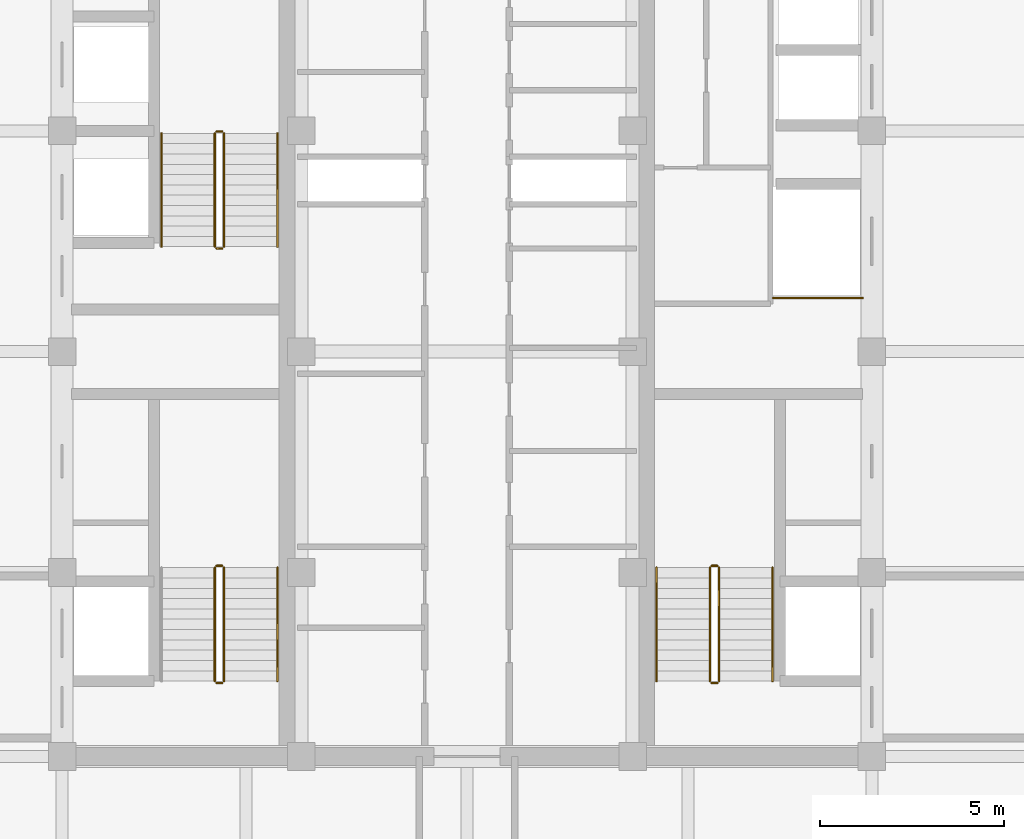
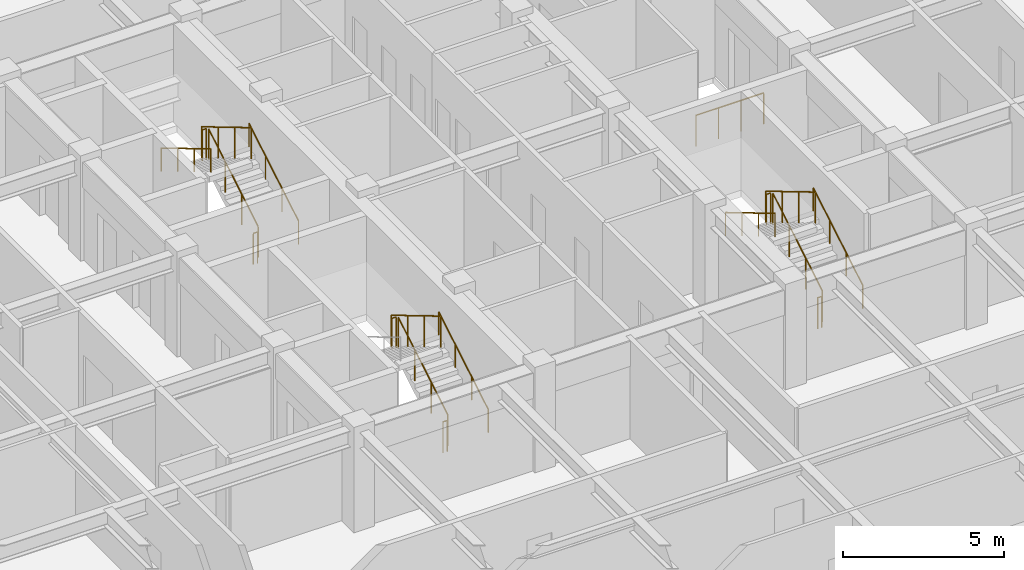
# One storey, part 29 of 30: 18 railings.
"""IFC4 building model written with IfcOpenShell, lengths in metres."""

from ifc_helpers import new_model, si_unit, direction, frame, origin, origin_2d, place, context, subcontext, project, spatial, circle, extrude, source, transform, mapped, material, type_object, element, save


model = new_model("IFC4")

# Units and contexts
model_context = context("Model", 3, precision=1e-05, world=origin(), true_north=direction((0.0, 1.0)))
body_context = subcontext(model_context, "Body", "Model", "MODEL_VIEW")
ifc_project = project(units=[si_unit("LENGTHUNIT", "METRE"), si_unit("AREAUNIT", "SQUARE_METRE"), si_unit("VOLUMEUNIT", "CUBIC_METRE"), si_unit("PLANEANGLEUNIT", "RADIAN"), si_unit("MASSUNIT", "GRAM", prefix="KILO")], contexts=[model_context])

# Site, building, storey
site_placement = place(None, origin())
site = spatial("IfcSite", under=ifc_project, at=site_placement, CompositionType="ELEMENT")
building_placement = place(site_placement, origin())
building = spatial("IfcBuilding", under=site, at=building_placement, Name="Khorayat Bourse Tower", CompositionType="ELEMENT")
storey_placement = place(building_placement, frame((0.0, 0.0, 326.300048828125)))
storey = spatial("IfcBuildingStorey", under=building, at=storey_placement, Name="L77", CompositionType="ELEMENT", Elevation=326.300048828125)

# Railings
ifc_material_1 = material(Name="Powder-coated steel balustrade", Category="steel")
railing_type_1 = type_object("IfcRailingType", Name="RLG-GUARD-1200", PredefinedType="GUARDRAIL", material=ifc_material_1)
shared_shape_1 = source(origin(), body_context, "Body", "SweptSolid", [
    extrude(circle(Radius=0.02392578125, at=origin_2d()), frame((0.0, 0.0, 1.17578125), z_axis=(-1.0, 0.0, 0.0), x_axis=(0.0, -1.0, 0.0)), (0.0, 0.0, 1.0), 0.150146484375),
    extrude(circle(Radius=0.02099609375, at=origin_2d()), origin(), (0.0, 0.0, 1.0), 1.15185546875),
    extrude(circle(Radius=0.02099609375, at=origin_2d()), frame((-0.150146484375, 0.0, 0.0)), (0.0, 0.0, 1.0), 1.15185546875),
])
for number, where, name in (
    (1, (-6.64990234375, -5.820068359375, 2.0), "L77 ST-1 stair guard 2"),
    (2, (-6.64990234375, -9.0, 0.0), "L77 ST-1 stair guard 4"),
    (3, (-6.64990234375, 5.97998046875, 2.0), "L77 ST-2 stair guard 2"),
    (4, (-6.64990234375, 2.800048828125, 0.0), "L77 ST-2 stair guard 4"),
    (5, (6.800048828125, -5.820068359375, 2.0), "L77 ST-3 stair guard 2"),
    (6, (6.800048828125, -9.0, 0.0), "L77 ST-3 stair guard 4"),
):
    element("IfcRailing", number, at=place(storey_placement, frame(where)), inside=storey, type_object=railing_type_1, Name=name, PredefinedType="GUARDRAIL", context=body_context, shape_type="MappedRepresentation", body=[
        mapped(shared_shape_1, transform((0.0, 0.0, 0.0), scale=1.0)),
    ])
shared_shape_2 = source(origin(), body_context, "Body", "SweptSolid", [
    extrude(circle(Radius=0.02392578125, at=origin_2d()), frame((0.0, 0.0, 1.17578125), z_axis=(0.0, 0.859260807169, 0.511537745687), x_axis=(-1.0, 0.0, 0.0)), (0.0, 0.0, 1.0), 3.584228515625),
    extrude(circle(Radius=0.02099609375, at=origin_2d()), origin(), (0.0, 0.0, 1.0), 1.15185546875),
    extrude(circle(Radius=0.02099609375, at=origin_2d()), frame((0.0, 1.026611328125, 0.611083984375)), (0.0, 0.0, 1.0), 1.15185546875),
    extrude(circle(Radius=0.02099609375, at=origin_2d()), frame((0.0, 2.05322265625, 1.222412109375)), (0.0, 0.0, 1.0), 1.15185546875),
    extrude(circle(Radius=0.02099609375, at=origin_2d()), frame((0.0, 3.079833984375, 1.83349609375)), (0.0, 0.0, 1.0), 1.15185546875),
])
for number, where, name in (
    (7, (-6.60009765625, -8.949951171875, 0.16650390625), "L77 ST-1 stair guard 1"),
    (8, (-6.60009765625, 2.85009765625, 0.16650390625), "L77 ST-2 stair guard 1"),
    (9, (6.85009765625, -8.949951171875, 0.16650390625), "L77 ST-3 stair guard 1"),
):
    element("IfcRailing", number, at=place(storey_placement, frame(where)), inside=storey, type_object=railing_type_1, Name=name, PredefinedType="GUARDRAIL", context=body_context, shape_type="MappedRepresentation", body=[
        mapped(shared_shape_2, transform((0.0, 0.0, 0.0), scale=1.0)),
    ])
shared_shape_3 = source(origin(), body_context, "Body", "SweptSolid", [
    extrude(circle(Radius=0.02392578125, at=origin_2d()), frame((0.0, 0.0, 1.17578125), z_axis=(0.0, -0.859260807169, 0.511537745687), x_axis=(1.0, 0.0, 0.0)), (0.0, 0.0, 1.0), 3.584228515625),
    extrude(circle(Radius=0.02099609375, at=origin_2d()), origin(), (0.0, 0.0, 1.0), 1.15185546875),
    extrude(circle(Radius=0.02099609375, at=origin_2d()), frame((0.0, -1.026611328125, 0.611083984375)), (0.0, 0.0, 1.0), 1.15185546875),
    extrude(circle(Radius=0.02099609375, at=origin_2d()), frame((0.0, -2.05322265625, 1.222412109375)), (0.0, 0.0, 1.0), 1.15185546875),
    extrude(circle(Radius=0.02099609375, at=origin_2d()), frame((0.0, -3.079833984375, 1.83349609375)), (0.0, 0.0, 1.0), 1.15185546875),
])
for number, where, name in (
    (10, (-6.85009765625, -5.8701171875, 2.16650390625), "L77 ST-1 stair guard 3"),
    (11, (-6.85009765625, 5.929931640625, 2.16650390625), "L77 ST-2 stair guard 3"),
    (12, (6.60009765625, -5.8701171875, 2.16650390625), "L77 ST-3 stair guard 3"),
):
    element("IfcRailing", number, at=place(storey_placement, frame(where)), inside=storey, type_object=railing_type_1, Name=name, PredefinedType="GUARDRAIL", context=body_context, shape_type="MappedRepresentation", body=[
        mapped(shared_shape_3, transform((0.0, 0.0, 0.0), scale=1.0)),
    ])
ifc_material_2 = material(Name="Brushed bronze stainless-steel handrail", Category="steel")
railing_type_2 = type_object("IfcRailingType", Name="RLG-HAND-900", PredefinedType="HANDRAIL", material=ifc_material_2)
shared_shape_4 = source(origin(), body_context, "Body", "SweptSolid", [
    extrude(circle(Radius=0.02392578125, at=origin_2d()), frame((0.0, 0.0, 0.8759765625), z_axis=(0.0, 0.859260807169, 0.511537745687), x_axis=(-1.0, 0.0, 0.0)), (0.0, 0.0, 1.0), 3.584228515625),
    extrude(circle(Radius=0.02099609375, at=origin_2d()), origin(), (0.0, 0.0, 1.0), 0.851806640625),
    extrude(circle(Radius=0.02099609375, at=origin_2d()), frame((0.0, 1.026611328125, 0.611083984375)), (0.0, 0.0, 1.0), 0.851806640625),
    extrude(circle(Radius=0.02099609375, at=origin_2d()), frame((0.0, 2.05322265625, 1.222412109375)), (0.0, 0.0, 1.0), 0.851806640625),
    extrude(circle(Radius=0.02099609375, at=origin_2d()), frame((0.0, 3.079833984375, 1.83349609375)), (0.0, 0.0, 1.0), 0.851806640625),
])
for number, where, name in (
    (13, (-5.14990234375, -8.949951171875, 0.16650390625), "L77 ST-1 stair handrail 1"),
    (14, (-5.14990234375, 2.85009765625, 0.16650390625), "L77 ST-2 stair handrail 1"),
    (15, (8.300048828125, -8.949951171875, 0.16650390625), "L77 ST-3 stair handrail 1"),
):
    element("IfcRailing", number, at=place(storey_placement, frame(where)), inside=storey, type_object=railing_type_2, Name=name, PredefinedType="HANDRAIL", context=body_context, shape_type="MappedRepresentation", body=[
        mapped(shared_shape_4, transform((0.0, 0.0, 0.0), scale=1.0)),
    ])
shared_shape_5 = source(origin(), body_context, "Body", "SweptSolid", [
    extrude(circle(Radius=0.02392578125, at=origin_2d()), frame((0.0, 0.0, 0.8759765625), z_axis=(0.0, -0.859260807169, 0.511537745687), x_axis=(1.0, 0.0, 0.0)), (0.0, 0.0, 1.0), 3.584228515625),
    extrude(circle(Radius=0.02099609375, at=origin_2d()), origin(), (0.0, 0.0, 1.0), 0.851806640625),
    extrude(circle(Radius=0.02099609375, at=origin_2d()), frame((0.0, -1.026611328125, 0.611083984375)), (0.0, 0.0, 1.0), 0.851806640625),
    extrude(circle(Radius=0.02099609375, at=origin_2d()), frame((0.0, -2.05322265625, 1.222412109375)), (0.0, 0.0, 1.0), 0.851806640625),
    extrude(circle(Radius=0.02099609375, at=origin_2d()), frame((0.0, -3.079833984375, 1.83349609375)), (0.0, 0.0, 1.0), 0.851806640625),
])
for number, where, name in (
    (16, (-8.300048828125, 5.929931640625, 2.16650390625), "L77 ST-2 stair handrail 2"),
    (17, (5.14990234375, -5.8701171875, 2.16650390625), "L77 ST-3 stair handrail 2"),
):
    element("IfcRailing", number, at=place(storey_placement, frame(where)), inside=storey, type_object=railing_type_2, Name=name, PredefinedType="HANDRAIL", context=body_context, shape_type="MappedRepresentation", body=[
        mapped(shared_shape_5, transform((0.0, 0.0, 0.0), scale=1.0)),
    ])
shared_shape_6 = source(origin(), body_context, "Body", "SweptSolid", [
    extrude(circle(Radius=0.02392578125, at=origin_2d()), frame((0.0, 0.0, 1.17578125), z_axis=(1.0, 0.0, 0.0), x_axis=(0.0, 1.0, 0.0)), (0.0, 0.0, 1.0), 2.429931640625),
    extrude(circle(Radius=0.02099609375, at=origin_2d()), origin(), (0.0, 0.0, 1.0), 1.15185546875),
    extrude(circle(Radius=0.02099609375, at=origin_2d()), frame((0.81005859375, 0.0, 0.0)), (0.0, 0.0, 1.0), 1.15185546875),
    extrude(circle(Radius=0.02099609375, at=origin_2d()), frame((1.619873046875, 0.0, 0.0)), (0.0, 0.0, 1.0), 1.15185546875),
    extrude(circle(Radius=0.02099609375, at=origin_2d()), frame((2.429931640625, 0.0, 0.0)), (0.0, 0.0, 1.0), 1.15185546875),
])
railing_placement = place(storey_placement, frame((8.320068359375, 1.4599609375, 0.0)))
element("IfcRailing", 18, at=railing_placement, inside=storey, type_object=railing_type_1, Name="L77 Goods Shaft Opening Guardrail", PredefinedType="GUARDRAIL", context=body_context, shape_type="MappedRepresentation", body=[
    mapped(shared_shape_6, transform((0.0, 0.0, 0.0), scale=1.0)),
])

save(model, "model.ifc")
